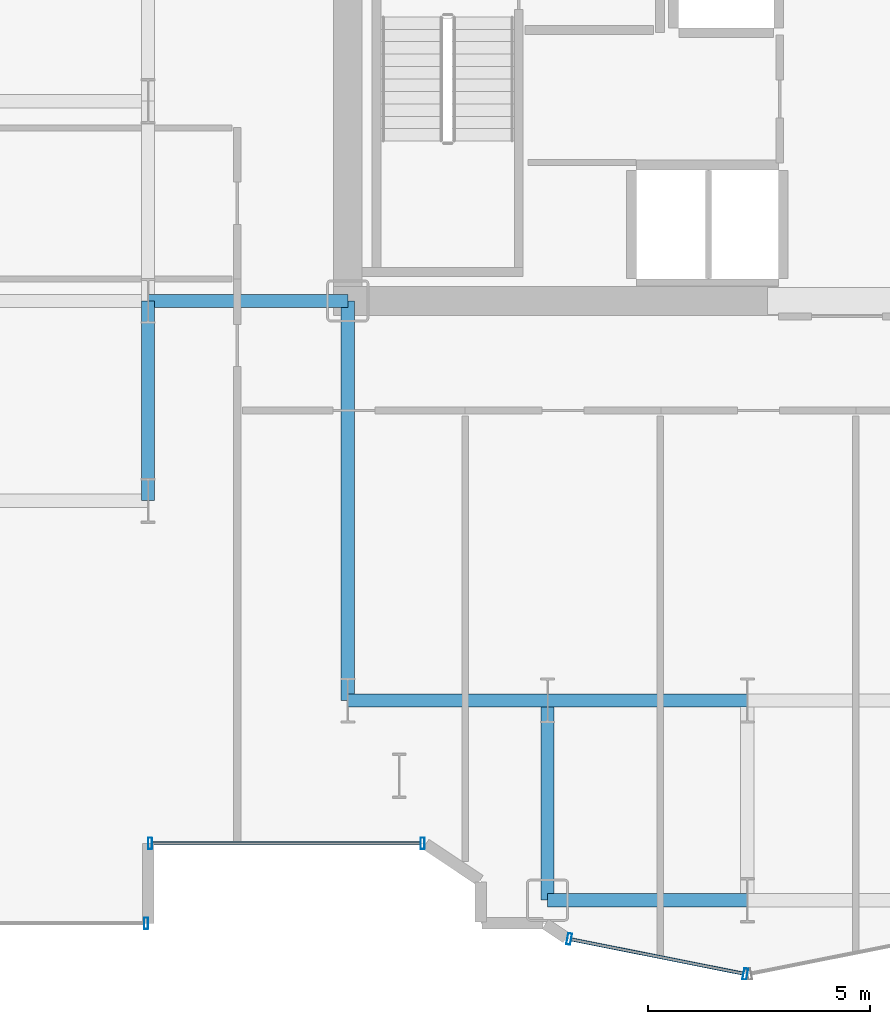
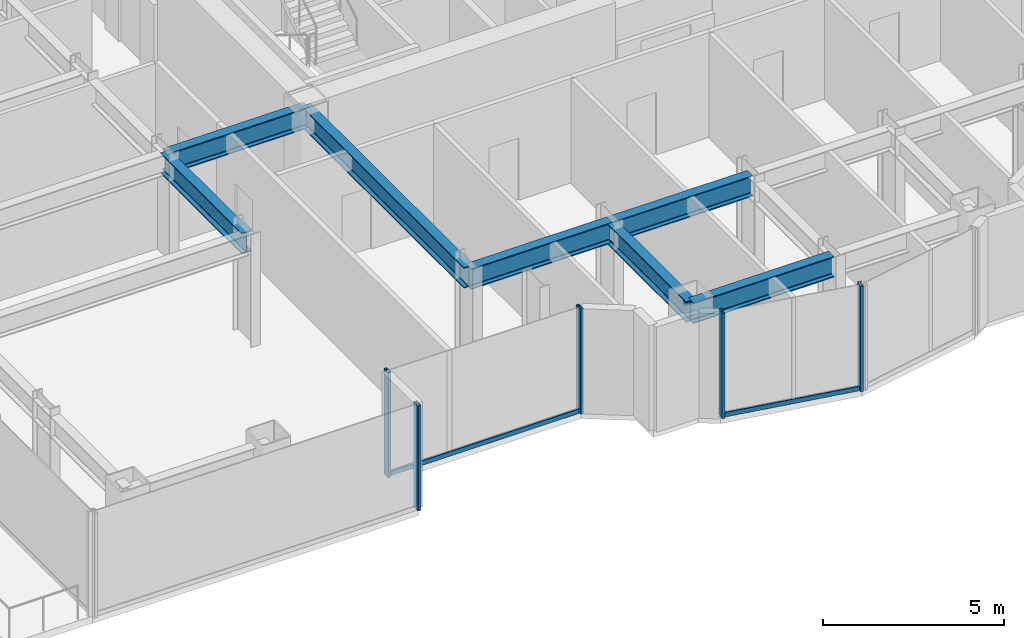
# One storey, part 4 of 27: 7 beams, 7 members, 3 elements without a shape of their own.
"""IFC4 building model written with IfcOpenShell, lengths in metres."""

from ifc_helpers import new_model, si_unit, direction, frame, origin, origin_2d, place, context, subcontext, project, spatial, hollow_rectangle, i_section, extrude, source, transform, mapped, material, layer, layer_set, material_profile, profile_set, type_object, element, aggregate, save


model = new_model("IFC4")

# Units and contexts
model_context = context("Model", 3, precision=1e-05, world=origin(), true_north=direction((0.0, 1.0)))
body_context = subcontext(model_context, "Body", "Model", "MODEL_VIEW")
ifc_project = project(units=[si_unit("LENGTHUNIT", "METRE"), si_unit("AREAUNIT", "SQUARE_METRE"), si_unit("VOLUMEUNIT", "CUBIC_METRE"), si_unit("PLANEANGLEUNIT", "RADIAN"), si_unit("MASSUNIT", "GRAM", prefix="KILO")], contexts=[model_context])

# Site, building, storey
site_placement = place(None, origin())
site = spatial("IfcSite", under=ifc_project, at=site_placement, CompositionType="ELEMENT")
building_placement = place(site_placement, origin())
building = spatial("IfcBuilding", under=site, at=building_placement, Name="Nefas-Gora Pilgrimage Tower", CompositionType="ELEMENT")
storey_placement = place(building_placement, frame((0.0, 0.0, 48.199951171875)))
storey = spatial("IfcBuildingStorey", under=building, at=storey_placement, Name="L10", CompositionType="ELEMENT", Elevation=48.199951171875)

# Beams
ifc_material_1 = material(Name="Steel S355", Category="steel")
ifc_material_profile_1 = material_profile(ifc_material_1, i_section(OverallWidth=0.300048828125, OverallDepth=0.699951171875, WebThickness=0.01708984375, FlangeThickness=0.031982421875, FilletRadius=0.027099609375, at=origin_2d()), Name="HEB 700")
ifc_profile_set_1 = profile_set([ifc_material_profile_1], Name="Steel S355")
beam_type = type_object("IfcBeamType", Name="BM-GIR-HEB700", PredefinedType="BEAM", material=ifc_profile_set_1)
shared_shape_1 = source(origin(), body_context, "Body", "SweptSolid", [
    extrude(i_section(OverallWidth=0.300048828125, OverallDepth=0.699951171875, WebThickness=0.01708984375, FlangeThickness=0.031982421875, FilletRadius=0.027099609375, at=origin_2d()), origin(), (0.0, 0.0, 1.0), 9.0),
])
beam_placement = place(storey_placement, frame((-11.25, -18.0, 3.199951171875), z_axis=(0.0, 1.0, 0.0), x_axis=(-1.0, 0.0, 0.0)))
element("IfcBeam", 1, at=beam_placement, inside=storey, type_object=beam_type, Name="L10 G-02 beam", PredefinedType="BEAM", context=body_context, shape_type="MappedRepresentation", body=[
    mapped(shared_shape_1, transform((0.0, 0.0, 0.0), x_axis=(1.0, 0.0, 0.0), y_axis=(0.0, 1.0, 0.0), z_axis=(0.0, 0.0, 1.0), scale=1.0)),
])
shared_shape_2 = source(origin(), body_context, "Body", "SweptSolid", [
    extrude(i_section(OverallWidth=0.300048828125, OverallDepth=0.699951171875, WebThickness=0.01708984375, FlangeThickness=0.031982421875, FilletRadius=0.027099609375, at=origin_2d()), origin(), (0.0, 0.0, 1.0), 4.5),
])
for number, where, z_axis, x_axis, name in (
    (2, (-15.75, -13.5, 3.199951171875), (0.0, 1.0, 0.0), (-1.0, 0.0, 0.0), "L10 G-02 beam"),
    (3, (-15.75, -9.0, 3.199951171875), (1.0, 0.0, 0.0), (0.0, 1.0, 0.0), "L10 G-02 beam"),
    (4, (-11.25, -18.0, 3.199951171875), (1.0, 0.0, 0.0), (0.0, 1.0, 0.0), "L10 G-02 beam"),
    (5, (-6.75, -22.5, 3.199951171875), (0.0, 1.0, 0.0), (-1.0, 0.0, 0.0), "L10 G-02 beam"),
    (6, (-6.75, -22.5, 3.199951171875), (1.0, 0.0, 0.0), (0.0, 1.0, 0.0), "L10 G-02 beam"),
    (7, (-6.75, -18.0, 3.199951171875), (1.0, 0.0, 0.0), (0.0, 1.0, 0.0), "L10 G-02 beam"),
):
    element("IfcBeam", number, at=place(storey_placement, frame(where, z_axis=z_axis, x_axis=x_axis)), inside=storey, type_object=beam_type, Name=name, PredefinedType="BEAM", context=body_context, shape_type="MappedRepresentation", body=[
        mapped(shared_shape_2, transform((0.0, 0.0, 0.0), x_axis=(1.0, 0.0, 0.0), y_axis=(0.0, 1.0, 0.0), z_axis=(0.0, 0.0, 1.0), scale=1.0)),
    ])

# Curtain wall, members
ifc_material_2 = material(Name="Dark ceramic-fritted solar-control aluminium-glass curtain wall", Category="aluminium")
ifc_layer_1 = layer(ifc_material_2, 0.219970703125)
ifc_layer_set_1 = layer_set([ifc_layer_1], Name="Dark ceramic-fritted solar-control aluminium-glass curtain wall")
curtain_wall_type_1 = type_object("IfcCurtainWallType", Name="CW-SYS-5", PredefinedType="NOTDEFINED", material=ifc_layer_set_1)
curtain_wall_1_placement = place(storey_placement, origin())
curtain_wall_1 = element("IfcCurtainWall", 8, at=curtain_wall_1_placement, inside=storey, type_object=curtain_wall_type_1, Name="L10 Unitised Curtain Wall CW5", PredefinedType="NOTDEFINED")
ifc_material_3 = material(Name="Anodised architectural aluminium", Category="aluminium")
ifc_material_profile_2 = material_profile(ifc_material_3, hollow_rectangle(XDim=0.090087890625, YDim=0.260009765625, WallThickness=0.006103515625, InnerFilletRadius=0.006103515625, OuterFilletRadius=0.011962890625, at=origin_2d()), Name="ALU MULLION 90x260")
ifc_profile_set_2 = profile_set([ifc_material_profile_2], Name="Anodised architectural aluminium")
member_type_1 = type_object("IfcMemberType", Name="CWM-MUL-5", PredefinedType="MULLION", material=ifc_profile_set_2)
shared_shape_3 = source(origin(), body_context, "Body", "SweptSolid", [
    extrude(hollow_rectangle(XDim=0.090087890625, YDim=0.260009765625, WallThickness=0.006103515625, InnerFilletRadius=0.006103515625, OuterFilletRadius=0.011962890625, at=origin_2d()), origin(), (0.0, 0.0, 1.0), 3.550048828125),
])
member_1_placement = place(storey_placement, frame((-15.705078125, -21.219970703125, 0.0), z_axis=(0.0, 0.0, 1.0), x_axis=(1.0, 0.0, 0.0)))
member_1 = element("IfcMember", 9, at=member_1_placement, type_object=member_type_1, Name="CW5 Mullion 1", PredefinedType="MULLION", context=body_context, shape_type="MappedRepresentation", body=[
    mapped(shared_shape_3, transform((0.0, 0.0, 0.0), x_axis=(1.0, 0.0, 0.0), y_axis=(0.0, 1.0, 0.0), z_axis=(0.0, 0.0, 1.0), scale=1.0)),
])
member_2_placement = place(storey_placement, frame((-9.56298828125, -21.219970703125, 0.0), z_axis=(0.0, 0.0, 1.0), x_axis=(1.0, 0.0, 0.0)))
member_2 = element("IfcMember", 10, at=member_2_placement, type_object=member_type_1, Name="CW5 Mullion 2", PredefinedType="MULLION", context=body_context, shape_type="MappedRepresentation", body=[
    mapped(shared_shape_3, transform((0.0, 0.0, 0.0), x_axis=(1.0, 0.0, 0.0), y_axis=(0.0, 1.0, 0.0), z_axis=(0.0, 0.0, 1.0), scale=1.0)),
])

curtain_wall_2_placement = place(storey_placement, origin())
curtain_wall_2 = element("IfcCurtainWall", 11, at=curtain_wall_2_placement, inside=storey, type_object=curtain_wall_type_1, Name="L10 Unitised Curtain Wall CW5", PredefinedType="NOTDEFINED")
member_3_placement = place(storey_placement, frame((-6.26318359375, -23.3740234375, 0.0), z_axis=(0.0, 0.0, 1.0), x_axis=(0.980782896852, -0.195102304554, 0.0)))
member_3 = element("IfcMember", 12, at=member_3_placement, type_object=member_type_1, Name="CW5 Mullion 1", PredefinedType="MULLION", context=body_context, shape_type="MappedRepresentation", body=[
    mapped(shared_shape_3, transform((0.0, 0.0, 0.0), x_axis=(1.0, 0.0, 0.0), y_axis=(0.0, 1.0, 0.0), z_axis=(0.0, 0.0, 1.0), scale=1.0)),
])
member_4_placement = place(storey_placement, frame((-2.294189453125, -24.16357421875, 0.0), z_axis=(0.0, 0.0, 1.0), x_axis=(0.980782896852, -0.195102304554, 0.0)))
member_4 = element("IfcMember", 13, at=member_4_placement, type_object=member_type_1, Name="CW5 Mullion 2", PredefinedType="MULLION", context=body_context, shape_type="MappedRepresentation", body=[
    mapped(shared_shape_3, transform((0.0, 0.0, 0.0), x_axis=(1.0, 0.0, 0.0), y_axis=(0.0, 1.0, 0.0), z_axis=(0.0, 0.0, 1.0), scale=1.0)),
])

# Member
ifc_material_profile_3 = material_profile(ifc_material_3, hollow_rectangle(XDim=0.080078125, YDim=0.159912109375, WallThickness=0.00439453125, InnerFilletRadius=0.00439453125, OuterFilletRadius=0.009033203125, at=origin_2d()), Name="ALU TRANSOM 80x160")
ifc_profile_set_3 = profile_set([ifc_material_profile_3], Name="Anodised architectural aluminium")
member_type_2 = type_object("IfcMemberType", Name="CWM-TRN-5", PredefinedType="USERDEFINED", material=ifc_profile_set_3)
shared_shape_4 = source(origin(), body_context, "Body", "SweptSolid", [
    extrude(hollow_rectangle(XDim=0.080078125, YDim=0.159912109375, WallThickness=0.00439453125, InnerFilletRadius=0.00439453125, OuterFilletRadius=0.009033203125, at=origin_2d()), origin(), (0.0, 0.0, 1.0), 6.052001953125),
])
member_5_placement = place(storey_placement, frame((-15.659912109375, -21.219970703125, 0.050048828125), z_axis=(1.0, 0.0, 0.0), x_axis=(0.0, 1.0, 0.0)))
member_5 = element("IfcMember", 14, at=member_5_placement, type_object=member_type_2, Name="CW5 Spandrel Transom", ObjectType="TRANSOM", PredefinedType="USERDEFINED", context=body_context, shape_type="MappedRepresentation", body=[
    mapped(shared_shape_4, transform((0.0, 0.0, 0.0), x_axis=(1.0, 0.0, 0.0), y_axis=(0.0, 1.0, 0.0), z_axis=(0.0, 0.0, 1.0), scale=1.0)),
])

aggregate(curtain_wall_1, [member_1, member_2, member_5])

# Curtain wall, member
ifc_layer_2 = layer(ifc_material_2, 0.219970703125)
ifc_layer_set_2 = layer_set([ifc_layer_2], Name="Dark ceramic-fritted solar-control aluminium-glass curtain wall")
curtain_wall_type_2 = type_object("IfcCurtainWallType", Name="CW-SYS-2", PredefinedType="NOTDEFINED", material=ifc_layer_set_2)
curtain_wall_3_placement = place(storey_placement, origin())
curtain_wall_3 = element("IfcCurtainWall", 15, at=curtain_wall_3_placement, inside=storey, type_object=curtain_wall_type_2, Name="L10 Unitised Curtain Wall CW2", PredefinedType="NOTDEFINED")
ifc_material_profile_4 = material_profile(ifc_material_3, hollow_rectangle(XDim=0.090087890625, YDim=0.260009765625, WallThickness=0.006103515625, InnerFilletRadius=0.006103515625, OuterFilletRadius=0.011962890625, at=origin_2d()), Name="ALU MULLION 90x260")
ifc_profile_set_4 = profile_set([ifc_material_profile_4], Name="Anodised architectural aluminium")
member_type_3 = type_object("IfcMemberType", Name="CWM-MUL-2", PredefinedType="MULLION", material=ifc_profile_set_4)
shared_shape_5 = source(origin(), body_context, "Body", "SweptSolid", [
    extrude(hollow_rectangle(XDim=0.090087890625, YDim=0.260009765625, WallThickness=0.006103515625, InnerFilletRadius=0.006103515625, OuterFilletRadius=0.011962890625, at=origin_2d()), origin(), (0.0, 0.0, 1.0), 3.550048828125),
])
member_6_placement = place(storey_placement, frame((-15.794921875, -23.02001953125, 0.0), z_axis=(0.0, 0.0, 1.0), x_axis=(1.0, 0.0, 0.0)))
member_6 = element("IfcMember", 16, at=member_6_placement, type_object=member_type_3, Name="CW2 Mullion 2", PredefinedType="MULLION", context=body_context, shape_type="MappedRepresentation", body=[
    mapped(shared_shape_5, transform((0.0, 0.0, 0.0), x_axis=(1.0, 0.0, 0.0), y_axis=(0.0, 1.0, 0.0), z_axis=(0.0, 0.0, 1.0), scale=1.0)),
])
aggregate(curtain_wall_3, [member_6])

# Member
shared_shape_6 = source(origin(), body_context, "Body", "SweptSolid", [
    extrude(hollow_rectangle(XDim=0.080078125, YDim=0.159912109375, WallThickness=0.00439453125, InnerFilletRadius=0.00439453125, OuterFilletRadius=0.009033203125, at=origin_2d()), origin(), (0.0, 0.0, 1.0), 3.95654296875),
])
member_7_placement = place(storey_placement, frame((-6.218994140625, -23.3828125, 0.050048828125), z_axis=(0.980781880918, -0.195107411605, 0.0), x_axis=(0.195107411605, 0.980781880918, 0.0)))
member_7 = element("IfcMember", 17, at=member_7_placement, type_object=member_type_2, Name="CW5 Spandrel Transom", ObjectType="TRANSOM", PredefinedType="USERDEFINED", context=body_context, shape_type="MappedRepresentation", body=[
    mapped(shared_shape_6, transform((0.0, 0.0, 0.0), x_axis=(1.0, 0.0, 0.0), y_axis=(0.0, 1.0, 0.0), z_axis=(0.0, 0.0, 1.0), scale=1.0)),
])

aggregate(curtain_wall_2, [member_3, member_4, member_7])

save(model, "model.ifc")
